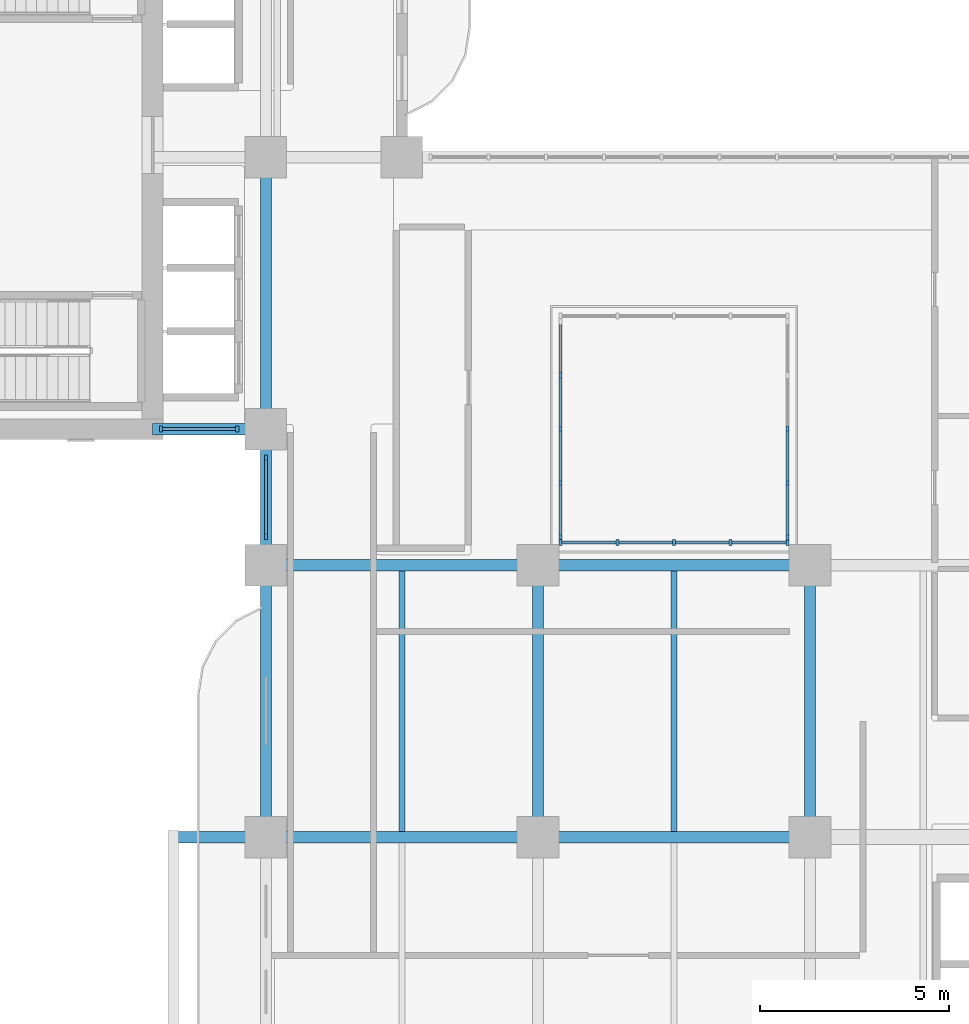
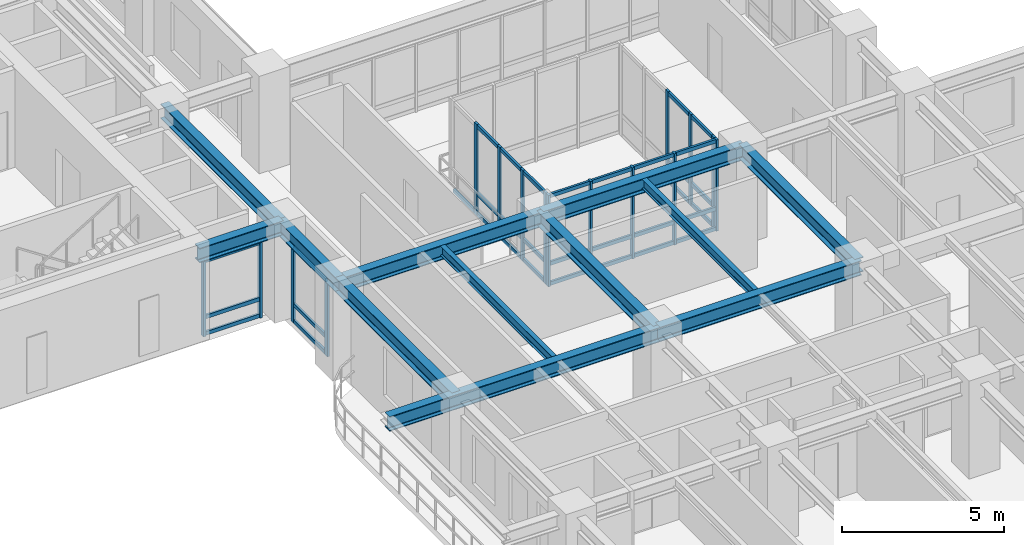
# One storey, part 2 of 22: 50 members, 12 beams, 5 elements without a shape of their own.
"""IFC4 building model written with IfcOpenShell, lengths in metres."""

from ifc_helpers import new_model, si_unit, derived_unit, direction, frame, origin, origin_2d, place, context, subcontext, project, spatial, rectangle, i_section, extrude, source, transform, mapped, material, layer, layer_set, material_profile, profile_set, type_object, type_shapes, element, aggregate, save


model = new_model("IFC4")

# Units and contexts
model_context = context("Model", 3, precision=1e-05, world=origin(), true_north=direction((0.0, 1.0)))
body_context = subcontext(model_context, "Body", "Model", "MODEL_VIEW")
ifc_project = project(units=[si_unit("LENGTHUNIT", "METRE"), si_unit("AREAUNIT", "SQUARE_METRE"), si_unit("VOLUMEUNIT", "CUBIC_METRE"), si_unit("PLANEANGLEUNIT", "RADIAN"), si_unit("MASSUNIT", "GRAM", prefix="KILO"), si_unit("THERMODYNAMICTEMPERATUREUNIT", "KELVIN"), si_unit("POWERUNIT", "WATT"), derived_unit("THERMALTRANSMITTANCEUNIT", [(si_unit("POWERUNIT", "WATT"), 1), (si_unit("AREAUNIT", "SQUARE_METRE"), -1), (si_unit("THERMODYNAMICTEMPERATUREUNIT", "KELVIN"), -1)])], contexts=[model_context])

# Site, building, storey
site_placement = place(None, origin())
site = spatial("IfcSite", under=ifc_project, at=site_placement, CompositionType="ELEMENT")
building_placement = place(site_placement, origin())
building = spatial("IfcBuilding", under=site, at=building_placement, Name="Zahravan Archway Hotel and Residences", CompositionType="ELEMENT")
storey_placement = place(building_placement, frame((0.0, 0.0, 73.10009765625)))
storey = spatial("IfcBuildingStorey", under=building, at=storey_placement, Name="L17", CompositionType="ELEMENT", Elevation=73.10009765625)

# Beams
ifc_material_1 = material(Name="Structural Steel S355JR", Category="steel")
ifc_material_profile_1 = material_profile(ifc_material_1, i_section(OverallWidth=0.300048828125, OverallDepth=0.550048828125, WebThickness=0.014892578125, FlangeThickness=0.029052734375, FilletRadius=0.027099609375, at=origin_2d()), Name="HEB 550", Category="steel")
ifc_profile_set_1 = profile_set([ifc_material_profile_1], Name="Structural Steel S355JR")
beam_type_1 = type_object("IfcBeamType", Name="BM-PRI-HEB550", PredefinedType="BEAM", material=ifc_profile_set_1)
shared_shape_1 = source(origin(), body_context, "Body", "SweptSolid", [
    extrude(i_section(OverallWidth=0.300048828125, OverallDepth=0.550048828125, WebThickness=0.014892578125, FlangeThickness=0.029052734375, FilletRadius=0.027099609375, at=origin_2d()), origin(), (0.0, 0.0, 1.0), 7.2001953125),
])
type_shapes(beam_type_1, [shared_shape_1])
for number, where, z_axis, x_axis, name in (
    (1, (14.39990234375, 21.60009765625, 3.1748046875), (1.0, 0.0, 0.0), (0.0, 1.0, 0.0), "L17 Primary Girder EW-14"),
    (2, (14.39990234375, 14.39990234375, 3.1748046875), (0.0, 1.0, 0.0), (-1.0, 0.0, 0.0), "L17 Primary Girder NS-34"),
    (3, (21.60009765625, 14.39990234375, 3.1748046875), (0.0, 1.0, 0.0), (-1.0, 0.0, 0.0), "L17 Primary Girder NS-41"),
    (4, (28.800048828125, 14.39990234375, 3.1748046875), (0.0, 1.0, 0.0), (-1.0, 0.0, 0.0), "L17 Primary Girder NS-44"),
):
    element("IfcBeam", number, at=place(storey_placement, frame(where, z_axis=z_axis, x_axis=x_axis)), inside=storey, type_object=beam_type_1, Name=name, PredefinedType="BEAM", context=body_context, shape_type="MappedRepresentation", body=[
        mapped(shared_shape_1, transform((0.0, 0.0, 0.0), scale=1.0)),
    ])
shared_shape_2 = source(origin(), body_context, "Body", "SweptSolid", [
    extrude(i_section(OverallWidth=0.300048828125, OverallDepth=0.550048828125, WebThickness=0.014892578125, FlangeThickness=0.029052734375, FilletRadius=0.027099609375, at=origin_2d()), origin(), (0.0, 0.0, 1.0), 7.199951171875),
])
for number, where, z_axis, x_axis, name in (
    (5, (21.60009765625, 14.39990234375, 3.1748046875), (1.0, 0.0, 0.0), (0.0, 1.0, 0.0), "L17 Primary Girder EW-12"),
    (6, (21.60009765625, 21.60009765625, 3.1748046875), (1.0, 0.0, 0.0), (0.0, 1.0, 0.0), "L17 Primary Girder EW-15"),
    (7, (14.39990234375, 25.199951171875, 3.1748046875), (0.0, 1.0, 0.0), (-1.0, 0.0, 0.0), "L17 Primary Girder NS-36"),
):
    element("IfcBeam", number, at=place(storey_placement, frame(where, z_axis=z_axis, x_axis=x_axis)), inside=storey, type_object=beam_type_1, Name=name, PredefinedType="BEAM", context=body_context, shape_type="MappedRepresentation", body=[
        mapped(shared_shape_2, transform((0.0, 0.0, 0.0), scale=1.0)),
    ])
shared_shape_3 = source(origin(), body_context, "Body", "SweptSolid", [
    extrude(i_section(OverallWidth=0.300048828125, OverallDepth=0.550048828125, WebThickness=0.014892578125, FlangeThickness=0.029052734375, FilletRadius=0.027099609375, at=origin_2d()), origin(), (0.0, 0.0, 1.0), 3.0),
])
beam_1_placement = place(storey_placement, frame((11.39990234375, 25.199951171875, 3.1748046875), z_axis=(1.0, 0.0, 0.0), x_axis=(0.0, 1.0, 0.0)))
element("IfcBeam", 8, at=beam_1_placement, inside=storey, type_object=beam_type_1, Name="L17 Primary Girder EW-20", PredefinedType="BEAM", context=body_context, shape_type="MappedRepresentation", body=[
    mapped(shared_shape_3, transform((0.0, 0.0, 0.0), scale=1.0)),
])
shared_shape_4 = source(origin(), body_context, "Body", "SweptSolid", [
    extrude(i_section(OverallWidth=0.300048828125, OverallDepth=0.550048828125, WebThickness=0.014892578125, FlangeThickness=0.029052734375, FilletRadius=0.027099609375, at=origin_2d()), origin(), (0.0, 0.0, 1.0), 3.599853515625),
])
beam_2_placement = place(storey_placement, frame((14.39990234375, 21.60009765625, 3.1748046875), z_axis=(0.0, 1.0, 0.0), x_axis=(-1.0, 0.0, 0.0)))
element("IfcBeam", 9, at=beam_2_placement, inside=storey, type_object=beam_type_1, Name="L17 Primary Girder NS-35", PredefinedType="BEAM", context=body_context, shape_type="MappedRepresentation", body=[
    mapped(shared_shape_4, transform((0.0, 0.0, 0.0), scale=1.0)),
])
shared_shape_5 = source(origin(), body_context, "Body", "SweptSolid", [
    extrude(i_section(OverallWidth=0.300048828125, OverallDepth=0.550048828125, WebThickness=0.014892578125, FlangeThickness=0.029052734375, FilletRadius=0.027099609375, at=origin_2d()), origin(), (0.0, 0.0, 1.0), 9.650146484375),
])
beam_3_placement = place(storey_placement, frame((11.949951171875, 14.39990234375, 3.1748046875), z_axis=(1.0, 0.0, 0.0), x_axis=(0.0, 1.0, 0.0)))
element("IfcBeam", 10, at=beam_3_placement, inside=storey, type_object=beam_type_1, Name="L17 Primary Girder EW-11", PredefinedType="BEAM", context=body_context, shape_type="MappedRepresentation", body=[
    mapped(shared_shape_5, transform((0.0, 0.0, 0.0), scale=1.0)),
])
ifc_material_profile_2 = material_profile(ifc_material_1, i_section(OverallWidth=0.169921875, OverallDepth=0.360107421875, WebThickness=0.008056640625, FlangeThickness=0.0126953125, FilletRadius=0.01806640625, at=origin_2d()), Name="IPE 360", Category="steel")
ifc_profile_set_2 = profile_set([ifc_material_profile_2], Name="Structural Steel S355JR")
beam_type_2 = type_object("IfcBeamType", Name="BM-JST-IPE360", PredefinedType="JOIST", material=ifc_profile_set_2)
shared_shape_6 = source(origin(), body_context, "Body", "SweptSolid", [
    extrude(i_section(OverallWidth=0.169921875, OverallDepth=0.360107421875, WebThickness=0.008056640625, FlangeThickness=0.0126953125, FilletRadius=0.01806640625, at=origin_2d()), origin(), (0.0, 0.0, 1.0), 6.90380859375),
])
for number, where, z_axis, x_axis, name in (
    (11, (18.0, 14.548095703125, 3.27001953125), (0.0, 1.0, 0.0), (-1.0, 0.0, 0.0), "L17 Composite Floor Joist 10"),
    (12, (25.199951171875, 14.548095703125, 3.27001953125), (0.0, 1.0, 0.0), (-1.0, 0.0, 0.0), "L17 Composite Floor Joist 11"),
):
    element("IfcBeam", number, at=place(storey_placement, frame(where, z_axis=z_axis, x_axis=x_axis)), inside=storey, type_object=beam_type_2, Name=name, PredefinedType="JOIST", context=body_context, shape_type="MappedRepresentation", body=[
        mapped(shared_shape_6, transform((0.0, 0.0, 0.0), scale=1.0)),
    ])

# Curtain wall, members
ifc_material_2 = material(Name="Bronze-Anodized Unitised Aluminium & Low-E Glass", Category="aluminium")
ifc_layer = layer(ifc_material_2, 0.179931640625, Name="Bronze-Anodized Unitised Aluminium & Low-E Glass", Category="aluminium")
ifc_layer_set = layer_set([ifc_layer], Name="Bronze-Anodized Unitised Aluminium & Low-E Glass")
curtain_wall_type = type_object("IfcCurtainWallType", Name="CW-ATR-GLAZ", PredefinedType="NOTDEFINED", material=ifc_layer_set)
curtain_wall_1_placement = place(storey_placement, origin())
curtain_wall_1 = element("IfcCurtainWall", 13, at=curtain_wall_1_placement, inside=storey, type_object=curtain_wall_type, Name="L17 Curtain Wall CW-L17-WA-WLU-1", PredefinedType="NOTDEFINED")
ifc_material_3 = material(Name="Bronze-Anodized Extruded Aluminium", Category="aluminium")
ifc_material_profile_3 = material_profile(ifc_material_3, rectangle(XDim=0.080078125, YDim=0.159912109375, at=origin_2d()), Name="MUL 80x160", Category="aluminium")
ifc_profile_set_3 = profile_set([ifc_material_profile_3], Name="Bronze-Anodized Extruded Aluminium")
member_type_1 = type_object("IfcMemberType", Name="CWM-MUL-160", PredefinedType="MULLION", material=ifc_profile_set_3)
shared_shape_7 = source(origin(), body_context, "Body", "SweptSolid", [
    extrude(rectangle(XDim=0.080078125, YDim=0.159912109375, at=origin_2d()), origin(), (0.0, 0.0, 1.0), 2.885009765625),
])
member_1_placement = place(storey_placement, frame((14.39990234375, 22.360107421875, 0.0), z_axis=(0.0, 0.0, 1.0), x_axis=(1.0, 0.0, 0.0)))
member_1 = element("IfcMember", 14, at=member_1_placement, type_object=member_type_1, Name="CW-L17-WA-WLU-1 Mullion 0", PredefinedType="MULLION", context=body_context, shape_type="MappedRepresentation", body=[
    mapped(shared_shape_7, transform((0.0, 0.0, 0.0), scale=1.0)),
])
member_2_placement = place(storey_placement, frame((14.39990234375, 24.43994140625, 0.0), z_axis=(0.0, 0.0, 1.0), x_axis=(1.0, 0.0, 0.0)))
member_2 = element("IfcMember", 15, at=member_2_placement, type_object=member_type_1, Name="CW-L17-WA-WLU-1 Mullion 1", PredefinedType="MULLION", context=body_context, shape_type="MappedRepresentation", body=[
    mapped(shared_shape_7, transform((0.0, 0.0, 0.0), scale=1.0)),
])

curtain_wall_2_placement = place(storey_placement, origin())
curtain_wall_2 = element("IfcCurtainWall", 16, at=curtain_wall_2_placement, inside=storey, type_object=curtain_wall_type, Name="L17 Curtain Wall CW-L17-WB-SE-1", PredefinedType="NOTDEFINED")
member_3_placement = place(storey_placement, frame((11.6201171875, 25.199951171875, 0.0), z_axis=(0.0, 0.0, 1.0), x_axis=(1.0, 0.0, 0.0)))
member_3 = element("IfcMember", 17, at=member_3_placement, type_object=member_type_1, Name="CW-L17-WB-SE-1 Mullion 0", PredefinedType="MULLION", context=body_context, shape_type="MappedRepresentation", body=[
    mapped(shared_shape_7, transform((0.0, 0.0, 0.0), scale=1.0)),
])
member_4_placement = place(storey_placement, frame((13.639892578125, 25.199951171875, 0.0), z_axis=(0.0, 0.0, 1.0), x_axis=(1.0, 0.0, 0.0)))
member_4 = element("IfcMember", 18, at=member_4_placement, type_object=member_type_1, Name="CW-L17-WB-SE-1 Mullion 1", PredefinedType="MULLION", context=body_context, shape_type="MappedRepresentation", body=[
    mapped(shared_shape_7, transform((0.0, 0.0, 0.0), scale=1.0)),
])
ifc_material_profile_4 = material_profile(ifc_material_3, rectangle(XDim=0.080078125, YDim=0.139892578125, at=origin_2d()), Name="TRN 80x140", Category="aluminium")
ifc_profile_set_4 = profile_set([ifc_material_profile_4], Name="Bronze-Anodized Extruded Aluminium")
member_type_2 = type_object("IfcMemberType", Name="CWM-TRN-140", PredefinedType="USERDEFINED", material=ifc_profile_set_4)
shared_shape_8 = source(origin(), body_context, "Body", "SweptSolid", [
    extrude(rectangle(XDim=0.080078125, YDim=0.139892578125, at=origin_2d()), origin(), (0.0, 0.0, 1.0), 1.940185546875),
])
member_5_placement = place(storey_placement, frame((11.659912109375, 25.199951171875, 0.06982421875), z_axis=(1.0, 0.0, 0.0), x_axis=(0.0, 1.0, 0.0)))
member_5 = element("IfcMember", 19, at=member_5_placement, type_object=member_type_2, Name="CW-L17-WB-SE-1 Transom 0-1", ObjectType="TRANSOM", PredefinedType="USERDEFINED", context=body_context, shape_type="MappedRepresentation", body=[
    mapped(shared_shape_8, transform((0.0, 0.0, 0.0), scale=1.0)),
])
member_6_placement = place(storey_placement, frame((11.659912109375, 25.199951171875, 0.6923828125), z_axis=(1.0, 0.0, 0.0), x_axis=(0.0, 1.0, 0.0)))
member_6 = element("IfcMember", 20, at=member_6_placement, type_object=member_type_2, Name="CW-L17-WB-SE-1 Transom 0-2", ObjectType="TRANSOM", PredefinedType="USERDEFINED", context=body_context, shape_type="MappedRepresentation", body=[
    mapped(shared_shape_8, transform((0.0, 0.0, 0.0), scale=1.0)),
])
member_7_placement = place(storey_placement, frame((11.659912109375, 25.199951171875, 2.81494140625), z_axis=(1.0, 0.0, 0.0), x_axis=(0.0, 1.0, 0.0)))
member_7 = element("IfcMember", 21, at=member_7_placement, type_object=member_type_2, Name="CW-L17-WB-SE-1 Transom 0-3", ObjectType="TRANSOM", PredefinedType="USERDEFINED", context=body_context, shape_type="MappedRepresentation", body=[
    mapped(shared_shape_8, transform((0.0, 0.0, 0.0), scale=1.0)),
])
aggregate(curtain_wall_2, [member_3, member_4, member_5, member_6, member_7])

# Member
shared_shape_9 = source(origin(), body_context, "Body", "SweptSolid", [
    extrude(rectangle(XDim=0.080078125, YDim=0.139892578125, at=origin_2d()), origin(), (0.0, 0.0, 1.0), 2.0),
])
member_8_placement = place(storey_placement, frame((14.39990234375, 22.39990234375, 0.06982421875), z_axis=(0.0, 1.0, 0.0), x_axis=(-1.0, 0.0, 0.0)))
member_8 = element("IfcMember", 22, at=member_8_placement, type_object=member_type_2, Name="CW-L17-WA-WLU-1 Transom 0-1", ObjectType="TRANSOM", PredefinedType="USERDEFINED", context=body_context, shape_type="MappedRepresentation", body=[
    mapped(shared_shape_9, transform((0.0, 0.0, 0.0), scale=1.0)),
])

member_9_placement = place(storey_placement, frame((14.39990234375, 22.39990234375, 0.6923828125), z_axis=(0.0, 1.0, 0.0), x_axis=(-1.0, 0.0, 0.0)))
member_9 = element("IfcMember", 23, at=member_9_placement, type_object=member_type_2, Name="CW-L17-WA-WLU-1 Transom 0-2", ObjectType="TRANSOM", PredefinedType="USERDEFINED", context=body_context, shape_type="MappedRepresentation", body=[
    mapped(shared_shape_9, transform((0.0, 0.0, 0.0), scale=1.0)),
])

member_10_placement = place(storey_placement, frame((14.39990234375, 22.39990234375, 2.81494140625), z_axis=(0.0, 1.0, 0.0), x_axis=(-1.0, 0.0, 0.0)))
member_10 = element("IfcMember", 24, at=member_10_placement, type_object=member_type_2, Name="CW-L17-WA-WLU-1 Transom 0-3", ObjectType="TRANSOM", PredefinedType="USERDEFINED", context=body_context, shape_type="MappedRepresentation", body=[
    mapped(shared_shape_9, transform((0.0, 0.0, 0.0), scale=1.0)),
])

aggregate(curtain_wall_1, [member_1, member_2, member_8, member_9, member_10])

# Curtain wall, members
curtain_wall_3_placement = place(storey_placement, origin())
curtain_wall_3 = element("IfcCurtainWall", 25, at=curtain_wall_3_placement, inside=storey, type_object=curtain_wall_type, Name="L17 Curtain Wall CW-ATR-L17-S-1", PredefinedType="NOTDEFINED")
shared_shape_10 = source(origin(), body_context, "Body", "SweptSolid", [
    extrude(rectangle(XDim=0.080078125, YDim=0.159912109375, at=origin_2d()), origin(), (0.0, 0.0, 1.0), 3.449951171875),
])
member_11_placement = place(storey_placement, frame((22.199951171875, 22.199951171875, 0.0), z_axis=(0.0, 0.0, 1.0), x_axis=(1.0, 0.0, 0.0)))
member_11 = element("IfcMember", 26, at=member_11_placement, type_object=member_type_1, Name="CW-ATR-L17-S-1 Mullion 0", PredefinedType="MULLION", context=body_context, shape_type="MappedRepresentation", body=[
    mapped(shared_shape_10, transform((0.0, 0.0, 0.0), scale=1.0)),
])
member_12_placement = place(storey_placement, frame((23.699951171875, 22.199951171875, 0.0), z_axis=(0.0, 0.0, 1.0), x_axis=(1.0, 0.0, 0.0)))
member_12 = element("IfcMember", 27, at=member_12_placement, type_object=member_type_1, Name="CW-ATR-L17-S-1 Mullion 1", PredefinedType="MULLION", context=body_context, shape_type="MappedRepresentation", body=[
    mapped(shared_shape_10, transform((0.0, 0.0, 0.0), scale=1.0)),
])
member_13_placement = place(storey_placement, frame((25.199951171875, 22.199951171875, 0.0), z_axis=(0.0, 0.0, 1.0), x_axis=(1.0, 0.0, 0.0)))
member_13 = element("IfcMember", 28, at=member_13_placement, type_object=member_type_1, Name="CW-ATR-L17-S-1 Mullion 2", PredefinedType="MULLION", context=body_context, shape_type="MappedRepresentation", body=[
    mapped(shared_shape_10, transform((0.0, 0.0, 0.0), scale=1.0)),
])
member_14_placement = place(storey_placement, frame((26.699951171875, 22.199951171875, 0.0), z_axis=(0.0, 0.0, 1.0), x_axis=(1.0, 0.0, 0.0)))
member_14 = element("IfcMember", 29, at=member_14_placement, type_object=member_type_1, Name="CW-ATR-L17-S-1 Mullion 3", PredefinedType="MULLION", context=body_context, shape_type="MappedRepresentation", body=[
    mapped(shared_shape_10, transform((0.0, 0.0, 0.0), scale=1.0)),
])
member_15_placement = place(storey_placement, frame((28.199951171875, 22.199951171875, 0.0), z_axis=(0.0, 0.0, 1.0), x_axis=(1.0, 0.0, 0.0)))
member_15 = element("IfcMember", 30, at=member_15_placement, type_object=member_type_1, Name="CW-ATR-L17-S-1 Mullion 4", PredefinedType="MULLION", context=body_context, shape_type="MappedRepresentation", body=[
    mapped(shared_shape_10, transform((0.0, 0.0, 0.0), scale=1.0)),
])

curtain_wall_4_placement = place(storey_placement, origin())
curtain_wall_4 = element("IfcCurtainWall", 31, at=curtain_wall_4_placement, inside=storey, type_object=curtain_wall_type, Name="L17 Curtain Wall CW-ATR-L17-W-1", PredefinedType="NOTDEFINED")
member_16_placement = place(storey_placement, frame((22.199951171875, 22.35009765625, 0.0), z_axis=(0.0, 0.0, 1.0), x_axis=(1.0, 0.0, 0.0)))
member_16 = element("IfcMember", 32, at=member_16_placement, type_object=member_type_1, Name="CW-ATR-L17-W-1 Mullion 0", PredefinedType="MULLION", context=body_context, shape_type="MappedRepresentation", body=[
    mapped(shared_shape_10, transform((0.0, 0.0, 0.0), scale=1.0)),
])
member_17_placement = place(storey_placement, frame((22.199951171875, 23.77490234375, 0.0), z_axis=(0.0, 0.0, 1.0), x_axis=(1.0, 0.0, 0.0)))
member_17 = element("IfcMember", 33, at=member_17_placement, type_object=member_type_1, Name="CW-ATR-L17-W-1 Mullion 1", PredefinedType="MULLION", context=body_context, shape_type="MappedRepresentation", body=[
    mapped(shared_shape_10, transform((0.0, 0.0, 0.0), scale=1.0)),
])
member_18_placement = place(storey_placement, frame((22.199951171875, 25.199951171875, 0.0), z_axis=(0.0, 0.0, 1.0), x_axis=(1.0, 0.0, 0.0)))
member_18 = element("IfcMember", 34, at=member_18_placement, type_object=member_type_1, Name="CW-ATR-L17-W-1 Mullion 2", PredefinedType="MULLION", context=body_context, shape_type="MappedRepresentation", body=[
    mapped(shared_shape_10, transform((0.0, 0.0, 0.0), scale=1.0)),
])
member_19_placement = place(storey_placement, frame((22.199951171875, 26.625, 0.0), z_axis=(0.0, 0.0, 1.0), x_axis=(1.0, 0.0, 0.0)))
member_19 = element("IfcMember", 35, at=member_19_placement, type_object=member_type_1, Name="CW-ATR-L17-W-1 Mullion 3", PredefinedType="MULLION", context=body_context, shape_type="MappedRepresentation", body=[
    mapped(shared_shape_10, transform((0.0, 0.0, 0.0), scale=1.0)),
])

curtain_wall_5_placement = place(storey_placement, origin())
curtain_wall_5 = element("IfcCurtainWall", 36, at=curtain_wall_5_placement, inside=storey, type_object=curtain_wall_type, Name="L17 Curtain Wall CW-ATR-L17-E-1", PredefinedType="NOTDEFINED")
member_20_placement = place(storey_placement, frame((28.199951171875, 22.35009765625, 0.0), z_axis=(0.0, 0.0, 1.0), x_axis=(1.0, 0.0, 0.0)))
member_20 = element("IfcMember", 37, at=member_20_placement, type_object=member_type_1, Name="CW-ATR-L17-E-1 Mullion 0", PredefinedType="MULLION", context=body_context, shape_type="MappedRepresentation", body=[
    mapped(shared_shape_10, transform((0.0, 0.0, 0.0), scale=1.0)),
])
member_21_placement = place(storey_placement, frame((28.199951171875, 23.77490234375, 0.0), z_axis=(0.0, 0.0, 1.0), x_axis=(1.0, 0.0, 0.0)))
member_21 = element("IfcMember", 38, at=member_21_placement, type_object=member_type_1, Name="CW-ATR-L17-E-1 Mullion 1", PredefinedType="MULLION", context=body_context, shape_type="MappedRepresentation", body=[
    mapped(shared_shape_10, transform((0.0, 0.0, 0.0), scale=1.0)),
])
member_22_placement = place(storey_placement, frame((28.199951171875, 25.199951171875, 0.0), z_axis=(0.0, 0.0, 1.0), x_axis=(1.0, 0.0, 0.0)))
member_22 = element("IfcMember", 39, at=member_22_placement, type_object=member_type_1, Name="CW-ATR-L17-E-1 Mullion 2", PredefinedType="MULLION", context=body_context, shape_type="MappedRepresentation", body=[
    mapped(shared_shape_10, transform((0.0, 0.0, 0.0), scale=1.0)),
])

# Member
shared_shape_11 = source(origin(), body_context, "Body", "SweptSolid", [
    extrude(rectangle(XDim=0.080078125, YDim=0.139892578125, at=origin_2d()), origin(), (0.0, 0.0, 1.0), 1.419921875),
])
member_23_placement = place(storey_placement, frame((22.239990234375, 22.199951171875, 0.06982421875), z_axis=(1.0, 0.0, 0.0), x_axis=(0.0, 1.0, 0.0)))
member_23 = element("IfcMember", 40, at=member_23_placement, type_object=member_type_2, Name="CW-ATR-L17-S-1 Transom 0-1", ObjectType="TRANSOM", PredefinedType="USERDEFINED", context=body_context, shape_type="MappedRepresentation", body=[
    mapped(shared_shape_11, transform((0.0, 0.0, 0.0), scale=1.0)),
])

member_24_placement = place(storey_placement, frame((22.239990234375, 22.199951171875, 0.827880859375), z_axis=(1.0, 0.0, 0.0), x_axis=(0.0, 1.0, 0.0)))
member_24 = element("IfcMember", 41, at=member_24_placement, type_object=member_type_2, Name="CW-ATR-L17-S-1 Transom 0-2", ObjectType="TRANSOM", PredefinedType="USERDEFINED", context=body_context, shape_type="MappedRepresentation", body=[
    mapped(shared_shape_11, transform((0.0, 0.0, 0.0), scale=1.0)),
])

member_25_placement = place(storey_placement, frame((22.239990234375, 22.199951171875, 3.3798828125), z_axis=(1.0, 0.0, 0.0), x_axis=(0.0, 1.0, 0.0)))
member_25 = element("IfcMember", 42, at=member_25_placement, type_object=member_type_2, Name="CW-ATR-L17-S-1 Transom 0-3", ObjectType="TRANSOM", PredefinedType="USERDEFINED", context=body_context, shape_type="MappedRepresentation", body=[
    mapped(shared_shape_11, transform((0.0, 0.0, 0.0), scale=1.0)),
])

member_26_placement = place(storey_placement, frame((23.739990234375, 22.199951171875, 0.06982421875), z_axis=(1.0, 0.0, 0.0), x_axis=(0.0, 1.0, 0.0)))
member_26 = element("IfcMember", 43, at=member_26_placement, type_object=member_type_2, Name="CW-ATR-L17-S-1 Transom 1-1", ObjectType="TRANSOM", PredefinedType="USERDEFINED", context=body_context, shape_type="MappedRepresentation", body=[
    mapped(shared_shape_11, transform((0.0, 0.0, 0.0), scale=1.0)),
])

member_27_placement = place(storey_placement, frame((23.739990234375, 22.199951171875, 0.827880859375), z_axis=(1.0, 0.0, 0.0), x_axis=(0.0, 1.0, 0.0)))
member_27 = element("IfcMember", 44, at=member_27_placement, type_object=member_type_2, Name="CW-ATR-L17-S-1 Transom 1-2", ObjectType="TRANSOM", PredefinedType="USERDEFINED", context=body_context, shape_type="MappedRepresentation", body=[
    mapped(shared_shape_11, transform((0.0, 0.0, 0.0), scale=1.0)),
])

member_28_placement = place(storey_placement, frame((23.739990234375, 22.199951171875, 3.3798828125), z_axis=(1.0, 0.0, 0.0), x_axis=(0.0, 1.0, 0.0)))
member_28 = element("IfcMember", 45, at=member_28_placement, type_object=member_type_2, Name="CW-ATR-L17-S-1 Transom 1-3", ObjectType="TRANSOM", PredefinedType="USERDEFINED", context=body_context, shape_type="MappedRepresentation", body=[
    mapped(shared_shape_11, transform((0.0, 0.0, 0.0), scale=1.0)),
])

member_29_placement = place(storey_placement, frame((25.239990234375, 22.199951171875, 0.06982421875), z_axis=(1.0, 0.0, 0.0), x_axis=(0.0, 1.0, 0.0)))
member_29 = element("IfcMember", 46, at=member_29_placement, type_object=member_type_2, Name="CW-ATR-L17-S-1 Transom 2-1", ObjectType="TRANSOM", PredefinedType="USERDEFINED", context=body_context, shape_type="MappedRepresentation", body=[
    mapped(shared_shape_11, transform((0.0, 0.0, 0.0), scale=1.0)),
])

member_30_placement = place(storey_placement, frame((25.239990234375, 22.199951171875, 0.827880859375), z_axis=(1.0, 0.0, 0.0), x_axis=(0.0, 1.0, 0.0)))
member_30 = element("IfcMember", 47, at=member_30_placement, type_object=member_type_2, Name="CW-ATR-L17-S-1 Transom 2-2", ObjectType="TRANSOM", PredefinedType="USERDEFINED", context=body_context, shape_type="MappedRepresentation", body=[
    mapped(shared_shape_11, transform((0.0, 0.0, 0.0), scale=1.0)),
])

member_31_placement = place(storey_placement, frame((25.239990234375, 22.199951171875, 3.3798828125), z_axis=(1.0, 0.0, 0.0), x_axis=(0.0, 1.0, 0.0)))
member_31 = element("IfcMember", 48, at=member_31_placement, type_object=member_type_2, Name="CW-ATR-L17-S-1 Transom 2-3", ObjectType="TRANSOM", PredefinedType="USERDEFINED", context=body_context, shape_type="MappedRepresentation", body=[
    mapped(shared_shape_11, transform((0.0, 0.0, 0.0), scale=1.0)),
])

member_32_placement = place(storey_placement, frame((26.739990234375, 22.199951171875, 0.06982421875), z_axis=(1.0, 0.0, 0.0), x_axis=(0.0, 1.0, 0.0)))
member_32 = element("IfcMember", 49, at=member_32_placement, type_object=member_type_2, Name="CW-ATR-L17-S-1 Transom 3-1", ObjectType="TRANSOM", PredefinedType="USERDEFINED", context=body_context, shape_type="MappedRepresentation", body=[
    mapped(shared_shape_11, transform((0.0, 0.0, 0.0), scale=1.0)),
])

member_33_placement = place(storey_placement, frame((26.739990234375, 22.199951171875, 0.827880859375), z_axis=(1.0, 0.0, 0.0), x_axis=(0.0, 1.0, 0.0)))
member_33 = element("IfcMember", 50, at=member_33_placement, type_object=member_type_2, Name="CW-ATR-L17-S-1 Transom 3-2", ObjectType="TRANSOM", PredefinedType="USERDEFINED", context=body_context, shape_type="MappedRepresentation", body=[
    mapped(shared_shape_11, transform((0.0, 0.0, 0.0), scale=1.0)),
])

member_34_placement = place(storey_placement, frame((26.739990234375, 22.199951171875, 3.3798828125), z_axis=(1.0, 0.0, 0.0), x_axis=(0.0, 1.0, 0.0)))
member_34 = element("IfcMember", 51, at=member_34_placement, type_object=member_type_2, Name="CW-ATR-L17-S-1 Transom 3-3", ObjectType="TRANSOM", PredefinedType="USERDEFINED", context=body_context, shape_type="MappedRepresentation", body=[
    mapped(shared_shape_11, transform((0.0, 0.0, 0.0), scale=1.0)),
])

aggregate(curtain_wall_3, [member_11, member_12, member_13, member_14, member_15, member_23, member_24, member_25, member_26, member_27, member_28, member_29, member_30, member_31, member_32, member_33, member_34])

shared_shape_12 = source(origin(), body_context, "Body", "SweptSolid", [
    extrude(rectangle(XDim=0.080078125, YDim=0.139892578125, at=origin_2d()), origin(), (0.0, 0.0, 1.0), 1.34521484375),
])
member_35_placement = place(storey_placement, frame((22.199951171875, 22.389892578125, 0.06982421875), z_axis=(0.0, 1.0, 0.0), x_axis=(-1.0, 0.0, 0.0)))
member_35 = element("IfcMember", 52, at=member_35_placement, type_object=member_type_2, Name="CW-ATR-L17-W-1 Transom 0-1", ObjectType="TRANSOM", PredefinedType="USERDEFINED", context=body_context, shape_type="MappedRepresentation", body=[
    mapped(shared_shape_12, transform((0.0, 0.0, 0.0), scale=1.0)),
])

member_36_placement = place(storey_placement, frame((22.199951171875, 22.389892578125, 0.827880859375), z_axis=(0.0, 1.0, 0.0), x_axis=(-1.0, 0.0, 0.0)))
member_36 = element("IfcMember", 53, at=member_36_placement, type_object=member_type_2, Name="CW-ATR-L17-W-1 Transom 0-2", ObjectType="TRANSOM", PredefinedType="USERDEFINED", context=body_context, shape_type="MappedRepresentation", body=[
    mapped(shared_shape_12, transform((0.0, 0.0, 0.0), scale=1.0)),
])

member_37_placement = place(storey_placement, frame((22.199951171875, 22.389892578125, 3.3798828125), z_axis=(0.0, 1.0, 0.0), x_axis=(-1.0, 0.0, 0.0)))
member_37 = element("IfcMember", 54, at=member_37_placement, type_object=member_type_2, Name="CW-ATR-L17-W-1 Transom 0-3", ObjectType="TRANSOM", PredefinedType="USERDEFINED", context=body_context, shape_type="MappedRepresentation", body=[
    mapped(shared_shape_12, transform((0.0, 0.0, 0.0), scale=1.0)),
])

member_38_placement = place(storey_placement, frame((28.199951171875, 22.389892578125, 0.06982421875), z_axis=(0.0, 1.0, 0.0), x_axis=(-1.0, 0.0, 0.0)))
member_38 = element("IfcMember", 55, at=member_38_placement, type_object=member_type_2, Name="CW-ATR-L17-E-1 Transom 0-1", ObjectType="TRANSOM", PredefinedType="USERDEFINED", context=body_context, shape_type="MappedRepresentation", body=[
    mapped(shared_shape_12, transform((0.0, 0.0, 0.0), scale=1.0)),
])

member_39_placement = place(storey_placement, frame((28.199951171875, 22.389892578125, 0.827880859375), z_axis=(0.0, 1.0, 0.0), x_axis=(-1.0, 0.0, 0.0)))
member_39 = element("IfcMember", 56, at=member_39_placement, type_object=member_type_2, Name="CW-ATR-L17-E-1 Transom 0-2", ObjectType="TRANSOM", PredefinedType="USERDEFINED", context=body_context, shape_type="MappedRepresentation", body=[
    mapped(shared_shape_12, transform((0.0, 0.0, 0.0), scale=1.0)),
])

member_40_placement = place(storey_placement, frame((28.199951171875, 22.389892578125, 3.3798828125), z_axis=(0.0, 1.0, 0.0), x_axis=(-1.0, 0.0, 0.0)))
member_40 = element("IfcMember", 57, at=member_40_placement, type_object=member_type_2, Name="CW-ATR-L17-E-1 Transom 0-3", ObjectType="TRANSOM", PredefinedType="USERDEFINED", context=body_context, shape_type="MappedRepresentation", body=[
    mapped(shared_shape_12, transform((0.0, 0.0, 0.0), scale=1.0)),
])

shared_shape_13 = source(origin(), body_context, "Body", "SweptSolid", [
    extrude(rectangle(XDim=0.080078125, YDim=0.139892578125, at=origin_2d()), origin(), (0.0, 0.0, 1.0), 1.344970703125),
])
member_41_placement = place(storey_placement, frame((22.199951171875, 23.81494140625, 0.06982421875), z_axis=(0.0, 1.0, 0.0), x_axis=(-1.0, 0.0, 0.0)))
member_41 = element("IfcMember", 58, at=member_41_placement, type_object=member_type_2, Name="CW-ATR-L17-W-1 Transom 1-1", ObjectType="TRANSOM", PredefinedType="USERDEFINED", context=body_context, shape_type="MappedRepresentation", body=[
    mapped(shared_shape_13, transform((0.0, 0.0, 0.0), scale=1.0)),
])

member_42_placement = place(storey_placement, frame((22.199951171875, 23.81494140625, 0.827880859375), z_axis=(0.0, 1.0, 0.0), x_axis=(-1.0, 0.0, 0.0)))
member_42 = element("IfcMember", 59, at=member_42_placement, type_object=member_type_2, Name="CW-ATR-L17-W-1 Transom 1-2", ObjectType="TRANSOM", PredefinedType="USERDEFINED", context=body_context, shape_type="MappedRepresentation", body=[
    mapped(shared_shape_13, transform((0.0, 0.0, 0.0), scale=1.0)),
])

member_43_placement = place(storey_placement, frame((22.199951171875, 23.81494140625, 3.3798828125), z_axis=(0.0, 1.0, 0.0), x_axis=(-1.0, 0.0, 0.0)))
member_43 = element("IfcMember", 60, at=member_43_placement, type_object=member_type_2, Name="CW-ATR-L17-W-1 Transom 1-3", ObjectType="TRANSOM", PredefinedType="USERDEFINED", context=body_context, shape_type="MappedRepresentation", body=[
    mapped(shared_shape_13, transform((0.0, 0.0, 0.0), scale=1.0)),
])

member_44_placement = place(storey_placement, frame((22.199951171875, 25.239990234375, 0.06982421875), z_axis=(0.0, 1.0, 0.0), x_axis=(-1.0, 0.0, 0.0)))
member_44 = element("IfcMember", 61, at=member_44_placement, type_object=member_type_2, Name="CW-ATR-L17-W-1 Transom 2-1", ObjectType="TRANSOM", PredefinedType="USERDEFINED", context=body_context, shape_type="MappedRepresentation", body=[
    mapped(shared_shape_13, transform((0.0, 0.0, 0.0), scale=1.0)),
])

member_45_placement = place(storey_placement, frame((22.199951171875, 25.239990234375, 0.827880859375), z_axis=(0.0, 1.0, 0.0), x_axis=(-1.0, 0.0, 0.0)))
member_45 = element("IfcMember", 62, at=member_45_placement, type_object=member_type_2, Name="CW-ATR-L17-W-1 Transom 2-2", ObjectType="TRANSOM", PredefinedType="USERDEFINED", context=body_context, shape_type="MappedRepresentation", body=[
    mapped(shared_shape_13, transform((0.0, 0.0, 0.0), scale=1.0)),
])

member_46_placement = place(storey_placement, frame((22.199951171875, 25.239990234375, 3.3798828125), z_axis=(0.0, 1.0, 0.0), x_axis=(-1.0, 0.0, 0.0)))
member_46 = element("IfcMember", 63, at=member_46_placement, type_object=member_type_2, Name="CW-ATR-L17-W-1 Transom 2-3", ObjectType="TRANSOM", PredefinedType="USERDEFINED", context=body_context, shape_type="MappedRepresentation", body=[
    mapped(shared_shape_13, transform((0.0, 0.0, 0.0), scale=1.0)),
])

member_47_placement = place(storey_placement, frame((22.199951171875, 26.6650390625, 0.06982421875), z_axis=(0.0, 1.0, 0.0), x_axis=(-1.0, 0.0, 0.0)))
member_47 = element("IfcMember", 64, at=member_47_placement, type_object=member_type_2, Name="CW-ATR-L17-W-1 Transom 3-1", ObjectType="TRANSOM", PredefinedType="USERDEFINED", context=body_context, shape_type="MappedRepresentation", body=[
    mapped(shared_shape_13, transform((0.0, 0.0, 0.0), scale=1.0)),
])

aggregate(curtain_wall_4, [member_16, member_17, member_18, member_19, member_35, member_36, member_37, member_41, member_42, member_43, member_44, member_45, member_46, member_47])

member_48_placement = place(storey_placement, frame((28.199951171875, 23.81494140625, 0.06982421875), z_axis=(0.0, 1.0, 0.0), x_axis=(-1.0, 0.0, 0.0)))
member_48 = element("IfcMember", 65, at=member_48_placement, type_object=member_type_2, Name="CW-ATR-L17-E-1 Transom 1-1", ObjectType="TRANSOM", PredefinedType="USERDEFINED", context=body_context, shape_type="MappedRepresentation", body=[
    mapped(shared_shape_13, transform((0.0, 0.0, 0.0), scale=1.0)),
])

member_49_placement = place(storey_placement, frame((28.199951171875, 23.81494140625, 0.827880859375), z_axis=(0.0, 1.0, 0.0), x_axis=(-1.0, 0.0, 0.0)))
member_49 = element("IfcMember", 66, at=member_49_placement, type_object=member_type_2, Name="CW-ATR-L17-E-1 Transom 1-2", ObjectType="TRANSOM", PredefinedType="USERDEFINED", context=body_context, shape_type="MappedRepresentation", body=[
    mapped(shared_shape_13, transform((0.0, 0.0, 0.0), scale=1.0)),
])

member_50_placement = place(storey_placement, frame((28.199951171875, 23.81494140625, 3.3798828125), z_axis=(0.0, 1.0, 0.0), x_axis=(-1.0, 0.0, 0.0)))
member_50 = element("IfcMember", 67, at=member_50_placement, type_object=member_type_2, Name="CW-ATR-L17-E-1 Transom 1-3", ObjectType="TRANSOM", PredefinedType="USERDEFINED", context=body_context, shape_type="MappedRepresentation", body=[
    mapped(shared_shape_13, transform((0.0, 0.0, 0.0), scale=1.0)),
])

aggregate(curtain_wall_5, [member_20, member_21, member_22, member_38, member_39, member_40, member_48, member_49, member_50])

save(model, "model.ifc")
